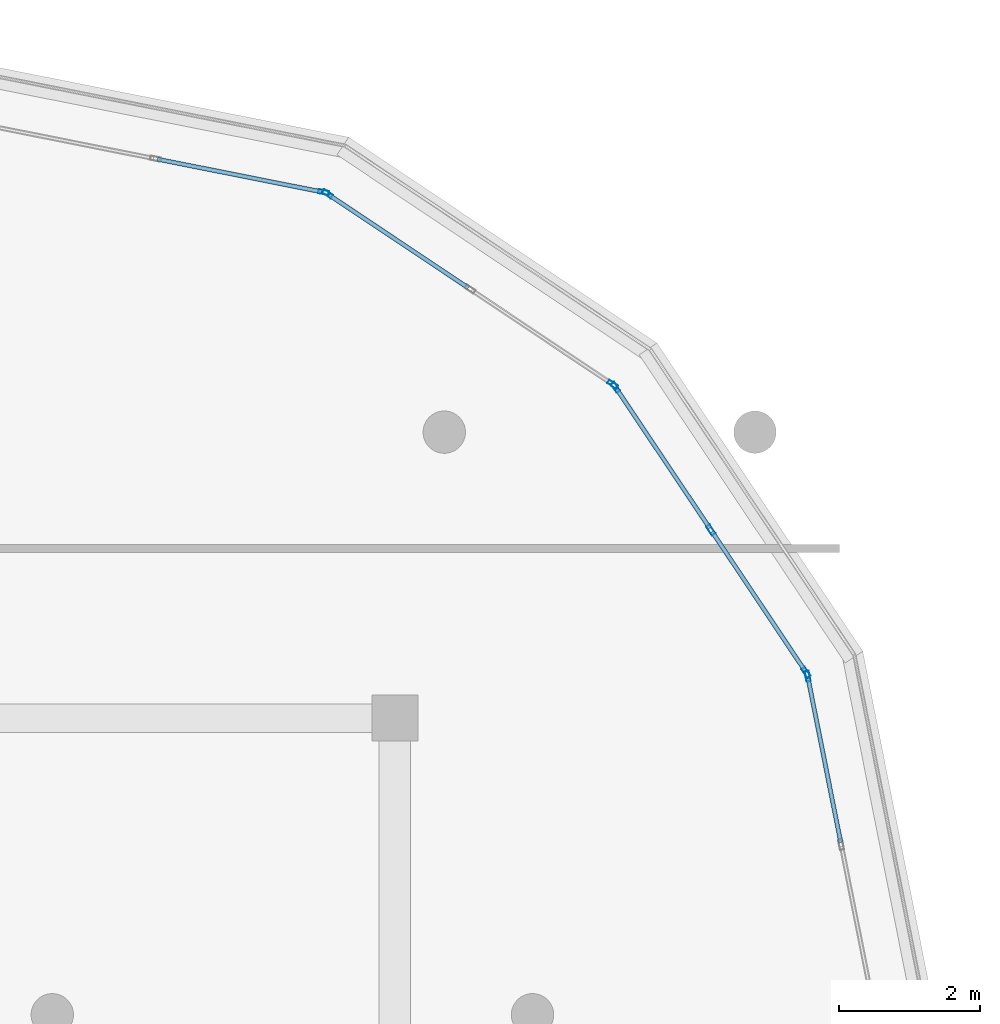
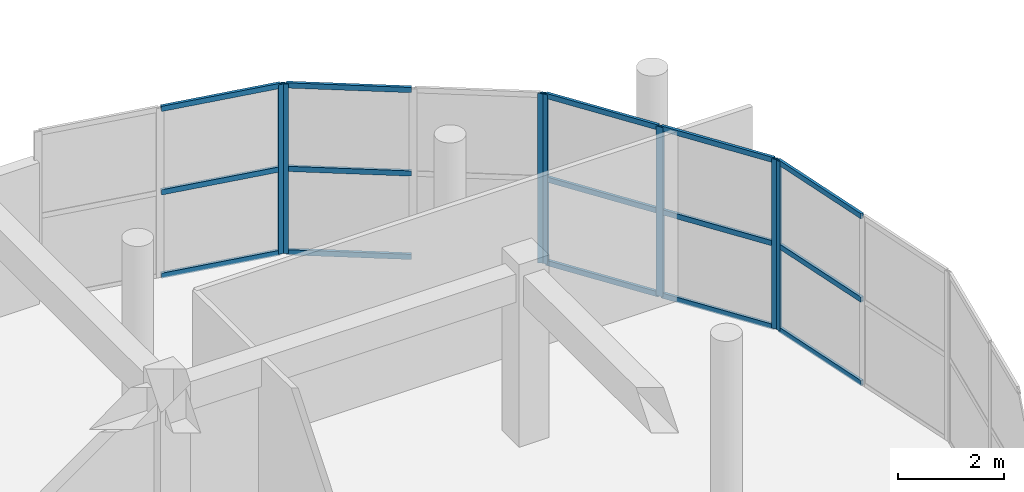
# One storey, part 36 of 63: 22 members, 4 elements without a shape of their own.
"""IFC4 building model written with IfcOpenShell, lengths in metres."""

from ifc_helpers import new_model, si_unit, direction, frame, origin, origin_2d, place, context, subcontext, project, spatial, hollow_rectangle, extrude, material, layer, layer_set, material_profile, profile_set, type_object, element, aggregate, save


model = new_model("IFC4")

# Units and contexts
model_context = context("Model", 3, precision=1e-05, world=origin(), true_north=direction((0.0, 1.0)))
body_context = subcontext(model_context, "Body", "Model", "MODEL_VIEW")
ifc_project = project(units=[si_unit("LENGTHUNIT", "METRE"), si_unit("AREAUNIT", "SQUARE_METRE"), si_unit("VOLUMEUNIT", "CUBIC_METRE"), si_unit("PLANEANGLEUNIT", "RADIAN"), si_unit("MASSUNIT", "GRAM", prefix="KILO")], contexts=[model_context])

# Site, building, storey
site_placement = place(None, origin())
site = spatial("IfcSite", under=ifc_project, at=site_placement, CompositionType="ELEMENT")
building_placement = place(site_placement, origin())
building = spatial("IfcBuilding", under=site, at=building_placement, Name="Zizhar Promenade General Hospital", CompositionType="ELEMENT")
storey_placement = place(building_placement, frame((0.0, 0.0, 18.0)))
storey = spatial("IfcBuildingStorey", under=building, at=storey_placement, Name="L04", CompositionType="ELEMENT", Elevation=18.0)

# Curtain wall, member
ifc_material_1 = material(Name="Anodised aluminium 6063-T6 and low-E glass", Category="aluminium")
ifc_layer = layer(ifc_material_1, 0.159912109375)
ifc_layer_set = layer_set([ifc_layer], Name="Anodised aluminium 6063-T6 and low-E glass")
curtain_wall_type = type_object("IfcCurtainWallType", Name="CW-WARD-ARC", PredefinedType="NOTDEFINED", material=ifc_layer_set)
curtain_wall_1_placement = place(storey_placement, origin())
curtain_wall_1 = element("IfcCurtainWall", 1, at=curtain_wall_1_placement, inside=storey, type_object=curtain_wall_type, Name="Ward Semicircular End Glazing L04-05", PredefinedType="NOTDEFINED")
ifc_material_2 = material(Name="Anodised aluminium 6063-T6", Category="aluminium")
ifc_material_profile_1 = material_profile(ifc_material_2, hollow_rectangle(XDim=0.06005859375, YDim=0.14990234375, WallThickness=0.00390625, at=origin_2d()))
ifc_profile_set_1 = profile_set([ifc_material_profile_1], Name="Anodised aluminium 6063-T6")
member_type_1 = type_object("IfcMemberType", Name="CWM-ALU-150x60", PredefinedType="MULLION", material=ifc_profile_set_1)
member_1_placement = place(storey_placement, frame((130.646728515625, 17.392333984375, 0.0), z_axis=(0.0, 0.0, 1.0), x_axis=(0.980785889615, 0.195087259275, 0.0)))
member_1 = element("IfcMember", 2, at=member_1_placement, type_object=member_type_1, Name="CW-12 mullion 1", PredefinedType="MULLION", context=body_context, shape_type="SweptSolid", body=[
    extrude(hollow_rectangle(XDim=0.06005859375, YDim=0.14990234375, WallThickness=0.00390625, at=origin_2d()), origin(), (0.0, 0.0, 1.0), 3.89990234375),
])

# Curtain wall, members
curtain_wall_2_placement = place(storey_placement, origin())
curtain_wall_2 = element("IfcCurtainWall", 3, at=curtain_wall_2_placement, inside=storey, type_object=curtain_wall_type, Name="Ward Semicircular End Glazing L04-06", PredefinedType="NOTDEFINED")
member_2_placement = place(storey_placement, frame((127.92626953125, 21.484619140625, 0.0), z_axis=(0.0, 0.0, 1.0), x_axis=(0.831461514468, 0.555582352095, 0.0)))
member_2 = element("IfcMember", 4, at=member_2_placement, type_object=member_type_1, Name="CW-12 mullion 1", PredefinedType="MULLION", context=body_context, shape_type="SweptSolid", body=[
    extrude(hollow_rectangle(XDim=0.06005859375, YDim=0.14990234375, WallThickness=0.00390625, at=origin_2d()), origin(), (0.0, 0.0, 1.0), 3.89990234375),
])
member_3_placement = place(storey_placement, frame((129.275146484375, 19.465576171875, 0.0), z_axis=(0.0, 0.0, 1.0), x_axis=(0.831461514468, 0.555582352095, 0.0)))
member_3 = element("IfcMember", 5, at=member_3_placement, type_object=member_type_1, Name="CW-12 mullion 2", PredefinedType="MULLION", context=body_context, shape_type="SweptSolid", body=[
    extrude(hollow_rectangle(XDim=0.06005859375, YDim=0.14990234375, WallThickness=0.00390625, at=origin_2d()), origin(), (0.0, 0.0, 1.0), 3.89990234375),
])
member_4_placement = place(storey_placement, frame((130.624267578125, 17.44677734375, 0.0), z_axis=(0.0, 0.0, 1.0), x_axis=(0.831461514468, 0.555582352095, 0.0)))
member_4 = element("IfcMember", 6, at=member_4_placement, type_object=member_type_1, Name="CW-12 mullion 3", PredefinedType="MULLION", context=body_context, shape_type="SweptSolid", body=[
    extrude(hollow_rectangle(XDim=0.06005859375, YDim=0.14990234375, WallThickness=0.00390625, at=origin_2d()), origin(), (0.0, 0.0, 1.0), 3.89990234375),
])

curtain_wall_3_placement = place(storey_placement, origin())
curtain_wall_3 = element("IfcCurtainWall", 7, at=curtain_wall_3_placement, inside=storey, type_object=curtain_wall_type, Name="Ward Semicircular End Glazing L04-07", PredefinedType="NOTDEFINED")
member_5_placement = place(storey_placement, frame((123.8466796875, 24.22412109375, 0.0), z_axis=(0.0, 0.0, 1.0), x_axis=(0.555582352095, 0.831461514468, 0.0)))
member_5 = element("IfcMember", 8, at=member_5_placement, type_object=member_type_1, Name="CW-12 mullion 1", PredefinedType="MULLION", context=body_context, shape_type="SweptSolid", body=[
    extrude(hollow_rectangle(XDim=0.06005859375, YDim=0.14990234375, WallThickness=0.00390625, at=origin_2d()), origin(), (0.0, 0.0, 1.0), 3.89990234375),
])
member_6_placement = place(storey_placement, frame((127.884521484375, 21.526123046875, 0.0), z_axis=(0.0, 0.0, 1.0), x_axis=(0.555582352095, 0.831461514468, 0.0)))
member_6 = element("IfcMember", 9, at=member_6_placement, type_object=member_type_1, Name="CW-12 mullion 3", PredefinedType="MULLION", context=body_context, shape_type="SweptSolid", body=[
    extrude(hollow_rectangle(XDim=0.06005859375, YDim=0.14990234375, WallThickness=0.00390625, at=origin_2d()), origin(), (0.0, 0.0, 1.0), 3.89990234375),
])

# Curtain wall, member
curtain_wall_4_placement = place(storey_placement, origin())
curtain_wall_4 = element("IfcCurtainWall", 10, at=curtain_wall_4_placement, inside=storey, type_object=curtain_wall_type, Name="Ward Semicircular End Glazing L04-08", PredefinedType="NOTDEFINED")
member_7_placement = place(storey_placement, frame((123.79248046875, 24.246826171875, 0.0), z_axis=(0.0, 0.0, 1.0), x_axis=(0.195087259275, 0.980785889615, 0.0)))
member_7 = element("IfcMember", 11, at=member_7_placement, type_object=member_type_1, Name="CW-12 mullion 3", PredefinedType="MULLION", context=body_context, shape_type="SweptSolid", body=[
    extrude(hollow_rectangle(XDim=0.06005859375, YDim=0.14990234375, WallThickness=0.00390625, at=origin_2d()), origin(), (0.0, 0.0, 1.0), 3.89990234375),
])

# Member
ifc_material_3 = material(Name="Anodised aluminium 6063-T6", Category="aluminium")
ifc_material_profile_2 = material_profile(ifc_material_3, hollow_rectangle(XDim=0.06005859375, YDim=0.1201171875, WallThickness=0.00390625, at=origin_2d()))
ifc_profile_set_2 = profile_set([ifc_material_profile_2], Name="Anodised aluminium 6063-T6")
member_type_2 = type_object("IfcMemberType", Name="CWT-ALU-120x60", PredefinedType="USERDEFINED", material=ifc_profile_set_2)
member_8_placement = place(storey_placement, frame((130.652587890625, 17.363037109375, 0.030029296875), z_axis=(0.195045472693, -0.980794200422, 0.0), x_axis=(0.980794200422, 0.195045472693, 0.0)))
member_8 = element("IfcMember", 12, at=member_8_placement, type_object=member_type_2, Name="CW-12 transom 1.1", ObjectType="TRANSOM", PredefinedType="USERDEFINED", context=body_context, shape_type="SweptSolid", body=[
    extrude(hollow_rectangle(XDim=0.06005859375, YDim=0.1201171875, WallThickness=0.00390625, at=origin_2d()), origin(), (0.0, 0.0, 1.0), 2.3681640625),
])

member_9_placement = place(storey_placement, frame((130.652587890625, 17.363037109375, 1.949951171875), z_axis=(0.195045472693, -0.980794200422, 0.0), x_axis=(0.980794200422, 0.195045472693, 0.0)))
member_9 = element("IfcMember", 13, at=member_9_placement, type_object=member_type_2, Name="CW-12 transom 1.2", ObjectType="TRANSOM", PredefinedType="USERDEFINED", context=body_context, shape_type="SweptSolid", body=[
    extrude(hollow_rectangle(XDim=0.06005859375, YDim=0.1201171875, WallThickness=0.00390625, at=origin_2d()), origin(), (0.0, 0.0, 1.0), 2.3681640625),
])

member_10_placement = place(storey_placement, frame((130.652587890625, 17.363037109375, 3.8701171875), z_axis=(0.195045472693, -0.980794200422, 0.0), x_axis=(0.980794200422, 0.195045472693, 0.0)))
member_10 = element("IfcMember", 14, at=member_10_placement, type_object=member_type_2, Name="CW-12 transom 1.3", ObjectType="TRANSOM", PredefinedType="USERDEFINED", context=body_context, shape_type="SweptSolid", body=[
    extrude(hollow_rectangle(XDim=0.06005859375, YDim=0.1201171875, WallThickness=0.00390625, at=origin_2d()), origin(), (0.0, 0.0, 1.0), 2.3681640625),
])

aggregate(curtain_wall_1, [member_1, member_8, member_9, member_10])

member_11_placement = place(storey_placement, frame((127.94287109375, 21.459716796875, 0.030029296875), z_axis=(0.555532539312, -0.831494797197, 0.0), x_axis=(0.831494797197, 0.555532539312, 0.0)))
member_11 = element("IfcMember", 15, at=member_11_placement, type_object=member_type_2, Name="CW-12 transom 1.1", ObjectType="TRANSOM", PredefinedType="USERDEFINED", context=body_context, shape_type="SweptSolid", body=[
    extrude(hollow_rectangle(XDim=0.06005859375, YDim=0.1201171875, WallThickness=0.00390625, at=origin_2d()), origin(), (0.0, 0.0, 1.0), 2.368408203125),
])

member_12_placement = place(storey_placement, frame((127.94287109375, 21.459716796875, 1.949951171875), z_axis=(0.555532539312, -0.831494797197, 0.0), x_axis=(0.831494797197, 0.555532539312, 0.0)))
member_12 = element("IfcMember", 16, at=member_12_placement, type_object=member_type_2, Name="CW-12 transom 1.2", ObjectType="TRANSOM", PredefinedType="USERDEFINED", context=body_context, shape_type="SweptSolid", body=[
    extrude(hollow_rectangle(XDim=0.06005859375, YDim=0.1201171875, WallThickness=0.00390625, at=origin_2d()), origin(), (0.0, 0.0, 1.0), 2.368408203125),
])

member_13_placement = place(storey_placement, frame((127.94287109375, 21.459716796875, 3.8701171875), z_axis=(0.555532539312, -0.831494797197, 0.0), x_axis=(0.831494797197, 0.555532539312, 0.0)))
member_13 = element("IfcMember", 17, at=member_13_placement, type_object=member_type_2, Name="CW-12 transom 1.3", ObjectType="TRANSOM", PredefinedType="USERDEFINED", context=body_context, shape_type="SweptSolid", body=[
    extrude(hollow_rectangle(XDim=0.06005859375, YDim=0.1201171875, WallThickness=0.00390625, at=origin_2d()), origin(), (0.0, 0.0, 1.0), 2.368408203125),
])

member_14_placement = place(storey_placement, frame((129.291748046875, 19.440673828125, 0.030029296875), z_axis=(0.555651427164, -0.831415354375, 0.0), x_axis=(0.831415354375, 0.555651427164, 0.0)))
member_14 = element("IfcMember", 18, at=member_14_placement, type_object=member_type_2, Name="CW-12 transom 2.1", ObjectType="TRANSOM", PredefinedType="USERDEFINED", context=body_context, shape_type="SweptSolid", body=[
    extrude(hollow_rectangle(XDim=0.06005859375, YDim=0.1201171875, WallThickness=0.00390625, at=origin_2d()), origin(), (0.0, 0.0, 1.0), 2.3681640625),
])

member_15_placement = place(storey_placement, frame((129.291748046875, 19.440673828125, 1.949951171875), z_axis=(0.555651427164, -0.831415354375, 0.0), x_axis=(0.831415354375, 0.555651427164, 0.0)))
member_15 = element("IfcMember", 19, at=member_15_placement, type_object=member_type_2, Name="CW-12 transom 2.2", ObjectType="TRANSOM", PredefinedType="USERDEFINED", context=body_context, shape_type="SweptSolid", body=[
    extrude(hollow_rectangle(XDim=0.06005859375, YDim=0.1201171875, WallThickness=0.00390625, at=origin_2d()), origin(), (0.0, 0.0, 1.0), 2.3681640625),
])

member_16_placement = place(storey_placement, frame((129.291748046875, 19.440673828125, 3.8701171875), z_axis=(0.555651427164, -0.831415354375, 0.0), x_axis=(0.831415354375, 0.555651427164, 0.0)))
member_16 = element("IfcMember", 20, at=member_16_placement, type_object=member_type_2, Name="CW-12 transom 2.3", ObjectType="TRANSOM", PredefinedType="USERDEFINED", context=body_context, shape_type="SweptSolid", body=[
    extrude(hollow_rectangle(XDim=0.06005859375, YDim=0.1201171875, WallThickness=0.00390625, at=origin_2d()), origin(), (0.0, 0.0, 1.0), 2.3681640625),
])

aggregate(curtain_wall_2, [member_2, member_3, member_4, member_11, member_12, member_13, member_14, member_15, member_16])

member_17_placement = place(storey_placement, frame((123.87158203125, 24.20751953125, 0.030029296875), z_axis=(0.831494797197, -0.555532539312, 0.0), x_axis=(0.555532539312, 0.831494797197, 0.0)))
member_17 = element("IfcMember", 21, at=member_17_placement, type_object=member_type_2, Name="CW-12 transom 1.1", ObjectType="TRANSOM", PredefinedType="USERDEFINED", context=body_context, shape_type="SweptSolid", body=[
    extrude(hollow_rectangle(XDim=0.06005859375, YDim=0.1201171875, WallThickness=0.00390625, at=origin_2d()), origin(), (0.0, 0.0, 1.0), 2.368408203125),
])

member_18_placement = place(storey_placement, frame((123.87158203125, 24.20751953125, 1.949951171875), z_axis=(0.831494797197, -0.555532539312, 0.0), x_axis=(0.555532539312, 0.831494797197, 0.0)))
member_18 = element("IfcMember", 22, at=member_18_placement, type_object=member_type_2, Name="CW-12 transom 1.2", ObjectType="TRANSOM", PredefinedType="USERDEFINED", context=body_context, shape_type="SweptSolid", body=[
    extrude(hollow_rectangle(XDim=0.06005859375, YDim=0.1201171875, WallThickness=0.00390625, at=origin_2d()), origin(), (0.0, 0.0, 1.0), 2.368408203125),
])

member_19_placement = place(storey_placement, frame((123.87158203125, 24.20751953125, 3.8701171875), z_axis=(0.831494797197, -0.555532539312, 0.0), x_axis=(0.555532539312, 0.831494797197, 0.0)))
member_19 = element("IfcMember", 23, at=member_19_placement, type_object=member_type_2, Name="CW-12 transom 1.3", ObjectType="TRANSOM", PredefinedType="USERDEFINED", context=body_context, shape_type="SweptSolid", body=[
    extrude(hollow_rectangle(XDim=0.06005859375, YDim=0.1201171875, WallThickness=0.00390625, at=origin_2d()), origin(), (0.0, 0.0, 1.0), 2.368408203125),
])

aggregate(curtain_wall_3, [member_5, member_6, member_17, member_18, member_19])

member_20_placement = place(storey_placement, frame((121.4404296875, 24.714599609375, 0.030029296875), z_axis=(0.980790278018, -0.195065195628, 0.0), x_axis=(0.195065195628, 0.980790278018, 0.0)))
member_20 = element("IfcMember", 24, at=member_20_placement, type_object=member_type_2, Name="CW-12 transom 2.1", ObjectType="TRANSOM", PredefinedType="USERDEFINED", context=body_context, shape_type="SweptSolid", body=[
    extrude(hollow_rectangle(XDim=0.06005859375, YDim=0.1201171875, WallThickness=0.00390625, at=origin_2d()), origin(), (0.0, 0.0, 1.0), 2.367919921875),
])

member_21_placement = place(storey_placement, frame((121.4404296875, 24.714599609375, 1.949951171875), z_axis=(0.980790278018, -0.195065195628, 0.0), x_axis=(0.195065195628, 0.980790278018, 0.0)))
member_21 = element("IfcMember", 25, at=member_21_placement, type_object=member_type_2, Name="CW-12 transom 2.2", ObjectType="TRANSOM", PredefinedType="USERDEFINED", context=body_context, shape_type="SweptSolid", body=[
    extrude(hollow_rectangle(XDim=0.06005859375, YDim=0.1201171875, WallThickness=0.00390625, at=origin_2d()), origin(), (0.0, 0.0, 1.0), 2.367919921875),
])

member_22_placement = place(storey_placement, frame((121.4404296875, 24.714599609375, 3.8701171875), z_axis=(0.980790278018, -0.195065195628, 0.0), x_axis=(0.195065195628, 0.980790278018, 0.0)))
member_22 = element("IfcMember", 26, at=member_22_placement, type_object=member_type_2, Name="CW-12 transom 2.3", ObjectType="TRANSOM", PredefinedType="USERDEFINED", context=body_context, shape_type="SweptSolid", body=[
    extrude(hollow_rectangle(XDim=0.06005859375, YDim=0.1201171875, WallThickness=0.00390625, at=origin_2d()), origin(), (0.0, 0.0, 1.0), 2.367919921875),
])

aggregate(curtain_wall_4, [member_7, member_20, member_21, member_22])

save(model, "model.ifc")
